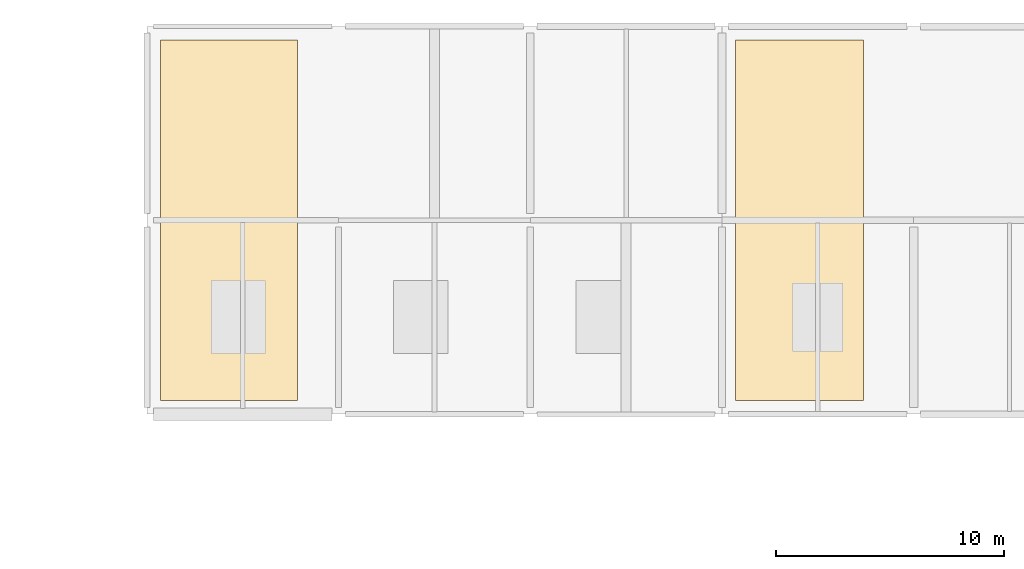
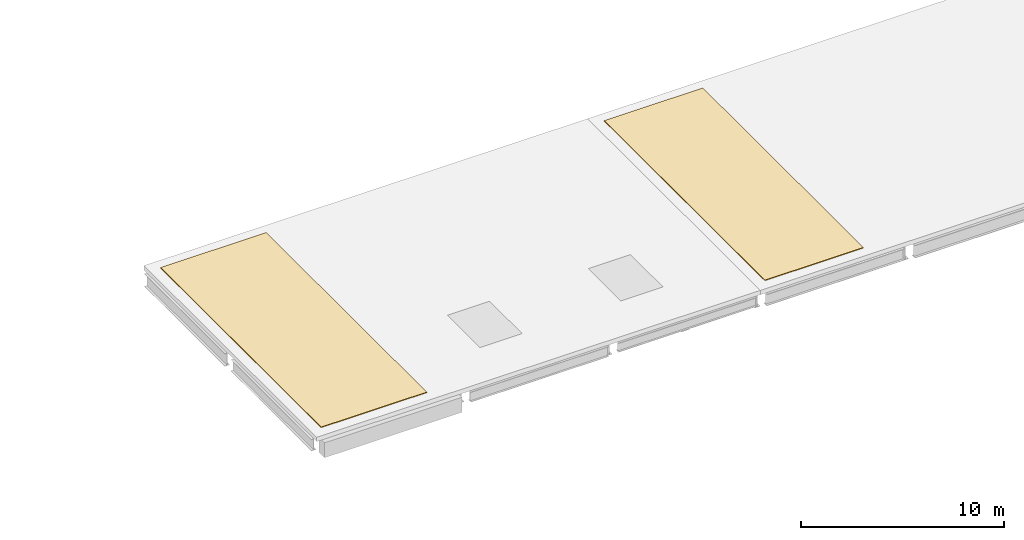
# One storey, part 6 of 6: 2 coverings.
"""IFC4 building model written with IfcOpenShell, lengths in metres."""

from ifc_helpers import new_model, si_unit, direction, frame, origin, place, context, subcontext, project, spatial, polyline, outline, extrude, material, layer, layer_set, type_object, element, save


model = new_model("IFC4")

# Units and contexts
model_context = context("Model", 3, precision=1e-05, world=origin(), true_north=direction((0.0, 1.0)))
body_context = subcontext(model_context, "Body", "Model", "MODEL_VIEW")
ifc_project = project(units=[si_unit("LENGTHUNIT", "METRE"), si_unit("AREAUNIT", "SQUARE_METRE"), si_unit("VOLUMEUNIT", "CUBIC_METRE"), si_unit("PLANEANGLEUNIT", "RADIAN"), si_unit("MASSUNIT", "GRAM", prefix="KILO")], contexts=[model_context])

# Site, building, storey
site_placement = place(None, origin())
site = spatial("IfcSite", under=ifc_project, at=site_placement, CompositionType="ELEMENT")
building_placement = place(site_placement, origin())
building = spatial("IfcBuilding", under=site, at=building_placement, Name="Solvento Point Concert Hall", CompositionType="ELEMENT")
storey_placement = place(building_placement, frame((0.0, 0.0, 27.89990234375)))
storey = spatial("IfcBuildingStorey", under=building, at=storey_placement, Name="RF", CompositionType="ELEMENT", Elevation=27.89990234375)

# Coverings
ifc_material = material(Name="White Elastomeric Roof Membrane")
ifc_layer = layer(ifc_material, 0.0400390625)
ifc_layer_set = layer_set([ifc_layer], Name="White Elastomeric Roof Membrane")
covering_type = type_object("IfcCoveringType", Name="RoofMembrane_White", PredefinedType="ROOFING", material=ifc_layer_set)
covering_1_placement = place(storey_placement, origin())
element("IfcCovering", 1, at=covering_1_placement, inside=storey, type_object=covering_type, Name="White elastomeric roof membrane RM-01", PredefinedType="ROOFING", context=body_context, shape_type="SweptSolid", body=[
    extrude(outline(polyline([(142.199951171875, 119.60009765625), (148.199951171875, 119.60009765625), (148.199951171875, 135.39990234375), (142.199951171875, 135.39990234375), (142.199951171875, 119.60009765625)])), origin(), (0.0, 0.0, 1.0), 0.0400390625),
])
covering_2_placement = place(storey_placement, origin())
element("IfcCovering", 2, at=covering_2_placement, inside=storey, type_object=covering_type, Name="White elastomeric roof membrane RM-01", PredefinedType="ROOFING", context=body_context, shape_type="SweptSolid", body=[
    extrude(outline(polyline([(167.39990234375, 119.60009765625), (173.0, 119.60009765625), (173.0, 135.39990234375), (167.39990234375, 135.39990234375), (167.39990234375, 119.60009765625)])), origin(), (0.0, 0.0, 1.0), 0.0400390625),
])

save(model, "model.ifc")
